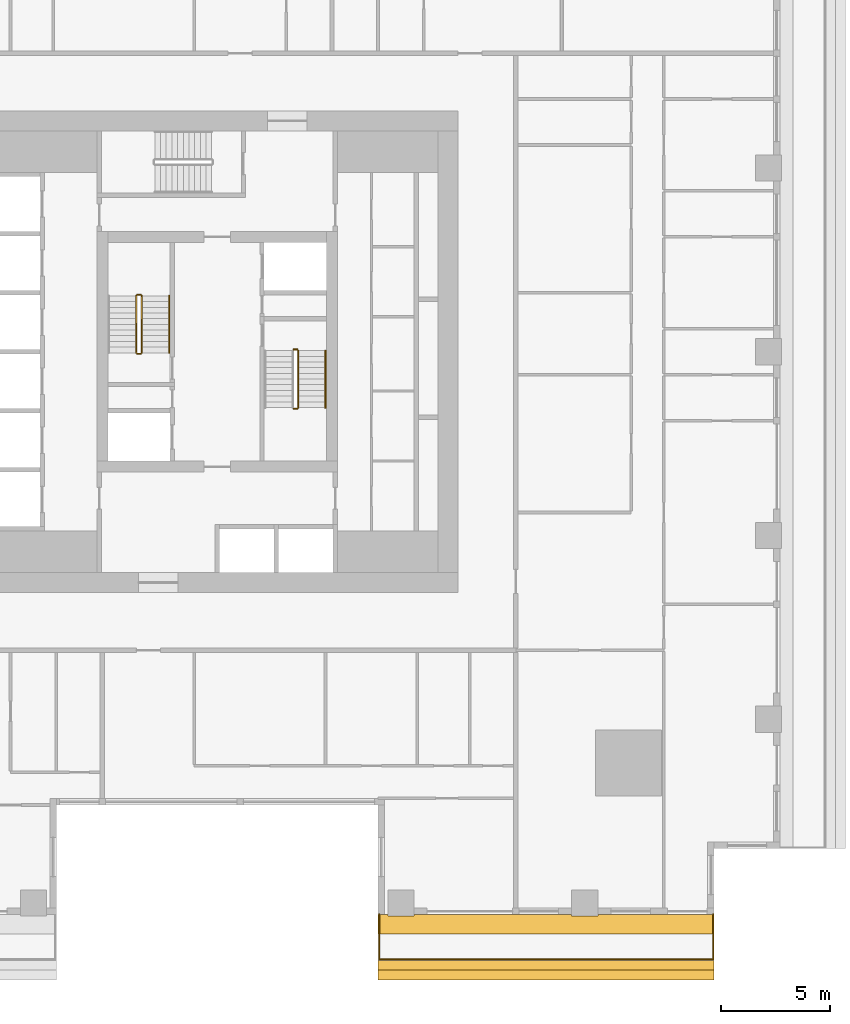
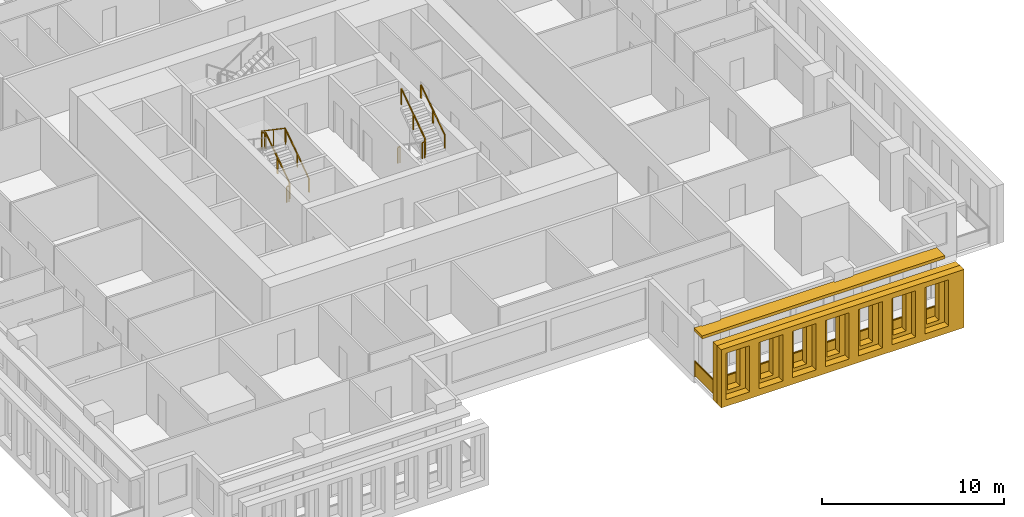
# One storey, part 12 of 15: 10 railings, 3 shading devices.
"""IFC4 building model written with IfcOpenShell, lengths in metres."""

from ifc_helpers import new_model, si_unit, direction, frame, origin, origin_2d, place, context, subcontext, project, spatial, polyline, rectangle, outline, extrude, material, layer, layer_set, type_object, element, save


model = new_model("IFC4")

# Units and contexts
model_context = context("Model", 3, precision=1e-05, world=origin(), true_north=direction((0.0, 1.0)))
body_context = subcontext(model_context, "Body", "Model", "MODEL_VIEW")
ifc_project = project(units=[si_unit("LENGTHUNIT", "METRE"), si_unit("AREAUNIT", "SQUARE_METRE"), si_unit("VOLUMEUNIT", "CUBIC_METRE"), si_unit("PLANEANGLEUNIT", "RADIAN"), si_unit("MASSUNIT", "GRAM", prefix="KILO")], contexts=[model_context])

# Site, building, storey
site_placement = place(None, origin())
site = spatial("IfcSite", under=ifc_project, at=site_placement, CompositionType="ELEMENT")
building_placement = place(site_placement, origin())
building = spatial("IfcBuilding", under=site, at=building_placement, Name="Khepri Terraces", CompositionType="ELEMENT")
storey_placement = place(building_placement, frame((0.0, 0.0, 46.5)))
storey = spatial("IfcBuildingStorey", under=building, at=storey_placement, Name="L10", CompositionType="ELEMENT", Elevation=46.5)

# Railings
ifc_material_1 = material(Name="Stainless steel grade 316", Category="steel")
railing_type_1 = type_object("IfcRailingType", Name="GRD-BAL-1100", PredefinedType="GUARDRAIL", material=ifc_material_1)
railing_1_placement = place(storey_placement, frame((7.39990234375, -25.719970703125, 0.0)))
element("IfcRailing", 1, at=railing_1_placement, inside=storey, type_object=railing_type_1, Name="Balcony guard L10 S", PredefinedType="GUARDRAIL", context=body_context, shape_type="SweptSolid", body=[
    extrude(rectangle(XDim=0.050048828125, YDim=0.06005859375, at=origin_2d()), frame((0.0, 0.0, 1.070068359375), z_axis=(0.0, -1.0, 0.0), x_axis=(1.0, 0.0, 0.0)), (0.0, 0.0, 1.0), 2.050048828125),
    extrude(rectangle(XDim=2.0, YDim=0.011962890625, at=origin_2d()), frame((0.0, -1.02490234375, 0.10009765625), z_axis=(0.0, 0.0, 1.0), x_axis=(0.0, -1.0, 0.0)), (0.0, 0.0, 1.0), 0.93994140625),
    extrude(rectangle(XDim=0.050048828125, YDim=0.06005859375, at=origin_2d()), frame((0.0, -2.050048828125, 1.070068359375), z_axis=(1.0, 0.0, 0.0), x_axis=(0.0, 1.0, 0.0)), (0.0, 0.0, 1.0), 15.27001953125),
    extrude(rectangle(XDim=2.13134765625, YDim=0.011962890625, at=origin_2d()), frame((1.0908203125, -2.050048828125, 0.10009765625), z_axis=(0.0, 0.0, 1.0), x_axis=(1.0, 0.0, 0.0)), (0.0, 0.0, 1.0), 0.93994140625),
    extrude(rectangle(XDim=2.13134765625, YDim=0.011962890625, at=origin_2d()), frame((3.272216796875, -2.050048828125, 0.10009765625), z_axis=(0.0, 0.0, 1.0), x_axis=(1.0, 0.0, 0.0)), (0.0, 0.0, 1.0), 0.93994140625),
    extrude(rectangle(XDim=2.13134765625, YDim=0.011962890625, at=origin_2d()), frame((5.45361328125, -2.050048828125, 0.10009765625), z_axis=(0.0, 0.0, 1.0), x_axis=(1.0, 0.0, 0.0)), (0.0, 0.0, 1.0), 0.93994140625),
    extrude(rectangle(XDim=2.13134765625, YDim=0.011962890625, at=origin_2d()), frame((7.635009765625, -2.050048828125, 0.10009765625), z_axis=(0.0, 0.0, 1.0), x_axis=(1.0, 0.0, 0.0)), (0.0, 0.0, 1.0), 0.93994140625),
    extrude(rectangle(XDim=2.13134765625, YDim=0.011962890625, at=origin_2d()), frame((9.81640625, -2.050048828125, 0.10009765625), z_axis=(0.0, 0.0, 1.0), x_axis=(1.0, 0.0, 0.0)), (0.0, 0.0, 1.0), 0.93994140625),
    extrude(rectangle(XDim=2.13134765625, YDim=0.011962890625, at=origin_2d()), frame((11.997802734375, -2.050048828125, 0.10009765625), z_axis=(0.0, 0.0, 1.0), x_axis=(1.0, 0.0, 0.0)), (0.0, 0.0, 1.0), 0.93994140625),
    extrude(rectangle(XDim=2.13134765625, YDim=0.011962890625, at=origin_2d()), frame((14.17919921875, -2.050048828125, 0.10009765625), z_axis=(0.0, 0.0, 1.0), x_axis=(1.0, 0.0, 0.0)), (0.0, 0.0, 1.0), 0.93994140625),
    extrude(rectangle(XDim=0.050048828125, YDim=0.06005859375, at=origin_2d()), frame((15.27001953125, -2.050048828125, 1.070068359375), z_axis=(0.0, 1.0, 0.0), x_axis=(-1.0, 0.0, 0.0)), (0.0, 0.0, 1.0), 2.050048828125),
    extrude(rectangle(XDim=2.0, YDim=0.011962890625, at=origin_2d()), frame((15.27001953125, -1.02490234375, 0.10009765625), z_axis=(0.0, 0.0, 1.0), x_axis=(0.0, 1.0, 0.0)), (0.0, 0.0, 1.0), 0.93994140625),
    extrude(rectangle(XDim=0.050048828125, YDim=0.050048828125, at=origin_2d()), origin(), (0.0, 0.0, 1.0), 1.0400390625),
    extrude(rectangle(XDim=0.050048828125, YDim=0.050048828125, at=origin_2d()), frame((0.0, -2.050048828125, 0.0)), (0.0, 0.0, 1.0), 1.0400390625),
    extrude(rectangle(XDim=0.050048828125, YDim=0.050048828125, at=origin_2d()), frame((2.181396484375, -2.050048828125, 0.0)), (0.0, 0.0, 1.0), 1.0400390625),
    extrude(rectangle(XDim=0.050048828125, YDim=0.050048828125, at=origin_2d()), frame((4.36279296875, -2.050048828125, 0.0)), (0.0, 0.0, 1.0), 1.0400390625),
    extrude(rectangle(XDim=0.050048828125, YDim=0.050048828125, at=origin_2d()), frame((6.544189453125, -2.050048828125, 0.0)), (0.0, 0.0, 1.0), 1.0400390625),
    extrude(rectangle(XDim=0.050048828125, YDim=0.050048828125, at=origin_2d()), frame((8.725830078125, -2.050048828125, 0.0)), (0.0, 0.0, 1.0), 1.0400390625),
    extrude(rectangle(XDim=0.050048828125, YDim=0.050048828125, at=origin_2d()), frame((10.9072265625, -2.050048828125, 0.0)), (0.0, 0.0, 1.0), 1.0400390625),
    extrude(rectangle(XDim=0.050048828125, YDim=0.050048828125, at=origin_2d()), frame((13.088623046875, -2.050048828125, 0.0)), (0.0, 0.0, 1.0), 1.0400390625),
    extrude(rectangle(XDim=0.050048828125, YDim=0.050048828125, at=origin_2d()), frame((15.27001953125, -2.050048828125, 0.0)), (0.0, 0.0, 1.0), 1.0400390625),
    extrude(rectangle(XDim=0.050048828125, YDim=0.050048828125, at=origin_2d()), frame((15.27001953125, 0.0, 0.0)), (0.0, 0.0, 1.0), 1.0400390625),
])
ifc_material_2 = material(Name="Stainless steel 316", Category="steel")
railing_type_2 = type_object("IfcRailingType", Name="RL-CORE-GUARD", PredefinedType="GUARDRAIL", material=ifc_material_2)
railing_2_placement = place(storey_placement, frame((-3.449951171875, -0.050048828125, 0.17724609375)))
element("IfcRailing", 2, at=railing_2_placement, inside=storey, type_object=railing_type_2, Name="L10 ST-1 stair guard 1", PredefinedType="GUARDRAIL", context=body_context, shape_type="SweptSolid", body=[
    extrude(rectangle(XDim=0.050048828125, YDim=0.06005859375, at=origin_2d()), frame((0.0, 0.0, 1.070068359375), z_axis=(0.0, 0.826240473404, 0.563317565952), x_axis=(-1.0, 0.0, 0.0)), (0.0, 0.0, 1.0), 3.14697265625),
    extrude(rectangle(XDim=0.050048828125, YDim=0.050048828125, at=origin_2d()), origin(), (0.0, 0.0, 1.0), 1.0400390625),
    extrude(rectangle(XDim=0.050048828125, YDim=0.050048828125, at=origin_2d()), frame((0.0, 1.300048828125, 0.88623046875)), (0.0, 0.0, 1.0), 1.0400390625),
    extrude(rectangle(XDim=0.050048828125, YDim=0.050048828125, at=origin_2d()), frame((0.0, 2.60009765625, 1.772705078125)), (0.0, 0.0, 1.0), 1.0400390625),
])
railing_3_placement = place(storey_placement, frame((-3.5, 2.60009765625, 1.949951171875)))
element("IfcRailing", 3, at=railing_3_placement, inside=storey, type_object=railing_type_2, Name="L10 ST-1 stair guard 2", PredefinedType="GUARDRAIL", context=body_context, shape_type="SweptSolid", body=[
    extrude(rectangle(XDim=0.050048828125, YDim=0.06005859375, at=origin_2d()), frame((0.0, 0.0, 1.070068359375), z_axis=(-1.0, 0.0, 0.0), x_axis=(0.0, -1.0, 0.0)), (0.0, 0.0, 1.0), 0.14990234375),
    extrude(rectangle(XDim=0.050048828125, YDim=0.050048828125, at=origin_2d()), origin(), (0.0, 0.0, 1.0), 1.0400390625),
    extrude(rectangle(XDim=0.050048828125, YDim=0.050048828125, at=origin_2d()), frame((-0.14990234375, 0.0, 0.0)), (0.0, 0.0, 1.0), 1.0400390625),
])
railing_4_placement = place(storey_placement, frame((-3.699951171875, 2.550048828125, 2.127197265625)))
element("IfcRailing", 4, at=railing_4_placement, inside=storey, type_object=railing_type_2, Name="L10 ST-1 stair guard 3", PredefinedType="GUARDRAIL", context=body_context, shape_type="SweptSolid", body=[
    extrude(rectangle(XDim=0.050048828125, YDim=0.06005859375, at=origin_2d()), frame((0.0, 0.0, 1.070068359375), z_axis=(0.0, -0.826240473404, 0.563317565952), x_axis=(1.0, 0.0, 0.0)), (0.0, 0.0, 1.0), 3.14697265625),
    extrude(rectangle(XDim=0.050048828125, YDim=0.050048828125, at=origin_2d()), origin(), (0.0, 0.0, 1.0), 1.0400390625),
    extrude(rectangle(XDim=0.050048828125, YDim=0.050048828125, at=origin_2d()), frame((0.0, -1.300048828125, 0.88623046875)), (0.0, 0.0, 1.0), 1.0400390625),
    extrude(rectangle(XDim=0.050048828125, YDim=0.050048828125, at=origin_2d()), frame((0.0, -2.60009765625, 1.772705078125)), (0.0, 0.0, 1.0), 1.0400390625),
])
railing_5_placement = place(storey_placement, frame((-3.5, -0.10009765625, 0.0)))
element("IfcRailing", 5, at=railing_5_placement, inside=storey, type_object=railing_type_2, Name="L10 ST-1 stair guard 4", PredefinedType="GUARDRAIL", context=body_context, shape_type="SweptSolid", body=[
    extrude(rectangle(XDim=0.050048828125, YDim=0.06005859375, at=origin_2d()), frame((0.0, 0.0, 1.070068359375), z_axis=(-1.0, 0.0, 0.0), x_axis=(0.0, -1.0, 0.0)), (0.0, 0.0, 1.0), 0.14990234375),
    extrude(rectangle(XDim=0.050048828125, YDim=0.050048828125, at=origin_2d()), origin(), (0.0, 0.0, 1.0), 1.0400390625),
    extrude(rectangle(XDim=0.050048828125, YDim=0.050048828125, at=origin_2d()), frame((-0.14990234375, 0.0, 0.0)), (0.0, 0.0, 1.0), 1.0400390625),
])
railing_6_placement = place(storey_placement, frame((3.5, -2.60009765625, 1.949951171875)))
element("IfcRailing", 6, at=railing_6_placement, inside=storey, type_object=railing_type_2, Name="L10 ST-2 stair guard 2", PredefinedType="GUARDRAIL", context=body_context, shape_type="SweptSolid", body=[
    extrude(rectangle(XDim=0.050048828125, YDim=0.06005859375, at=origin_2d()), frame((0.0, 0.0, 1.070068359375), z_axis=(1.0, 0.0, 0.0), x_axis=(0.0, 1.0, 0.0)), (0.0, 0.0, 1.0), 0.14990234375),
    extrude(rectangle(XDim=0.050048828125, YDim=0.050048828125, at=origin_2d()), origin(), (0.0, 0.0, 1.0), 1.0400390625),
    extrude(rectangle(XDim=0.050048828125, YDim=0.050048828125, at=origin_2d()), frame((0.14990234375, 0.0, 0.0)), (0.0, 0.0, 1.0), 1.0400390625),
])
railing_7_placement = place(storey_placement, frame((3.699951171875, -2.550048828125, 2.127197265625)))
element("IfcRailing", 7, at=railing_7_placement, inside=storey, type_object=railing_type_2, Name="L10 ST-2 stair guard 3", PredefinedType="GUARDRAIL", context=body_context, shape_type="SweptSolid", body=[
    extrude(rectangle(XDim=0.050048828125, YDim=0.06005859375, at=origin_2d()), frame((0.0, 0.0, 1.070068359375), z_axis=(0.0, 0.826240473404, 0.563317565952), x_axis=(-1.0, 0.0, 0.0)), (0.0, 0.0, 1.0), 3.14697265625),
    extrude(rectangle(XDim=0.050048828125, YDim=0.050048828125, at=origin_2d()), origin(), (0.0, 0.0, 1.0), 1.0400390625),
    extrude(rectangle(XDim=0.050048828125, YDim=0.050048828125, at=origin_2d()), frame((0.0, 1.300048828125, 0.88623046875)), (0.0, 0.0, 1.0), 1.0400390625),
    extrude(rectangle(XDim=0.050048828125, YDim=0.050048828125, at=origin_2d()), frame((0.0, 2.60009765625, 1.772705078125)), (0.0, 0.0, 1.0), 1.0400390625),
])
railing_8_placement = place(storey_placement, frame((3.5, 0.10009765625, 0.0)))
element("IfcRailing", 8, at=railing_8_placement, inside=storey, type_object=railing_type_2, Name="L10 ST-2 stair guard 4", PredefinedType="GUARDRAIL", context=body_context, shape_type="SweptSolid", body=[
    extrude(rectangle(XDim=0.050048828125, YDim=0.06005859375, at=origin_2d()), frame((0.0, 0.0, 1.070068359375), z_axis=(1.0, 0.0, 0.0), x_axis=(0.0, 1.0, 0.0)), (0.0, 0.0, 1.0), 0.14990234375),
    extrude(rectangle(XDim=0.050048828125, YDim=0.050048828125, at=origin_2d()), origin(), (0.0, 0.0, 1.0), 1.0400390625),
    extrude(rectangle(XDim=0.050048828125, YDim=0.050048828125, at=origin_2d()), frame((0.14990234375, 0.0, 0.0)), (0.0, 0.0, 1.0), 1.0400390625),
])
railing_type_3 = type_object("IfcRailingType", Name="RL-CORE-HANDRAIL", PredefinedType="HANDRAIL", material=ifc_material_2)
for number, where, name in (
    (9, (-2.199951171875, -0.050048828125, 0.17724609375), "L10 ST-1 stair handrail 1"),
    (10, (4.949951171875, -2.550048828125, 2.127197265625), "L10 ST-2 stair handrail 2"),
):
    element("IfcRailing", number, at=place(storey_placement, frame(where)), inside=storey, type_object=railing_type_3, Name=name, PredefinedType="HANDRAIL", context=body_context, shape_type="SweptSolid", body=[
        extrude(rectangle(XDim=0.050048828125, YDim=0.050048828125, at=origin_2d()), frame((0.0, 0.0, 0.875), z_axis=(0.0, 0.826240473404, 0.563317565952), x_axis=(-1.0, 0.0, 0.0)), (0.0, 0.0, 1.0), 3.14697265625),
        extrude(rectangle(XDim=0.050048828125, YDim=0.050048828125, at=origin_2d()), origin(), (0.0, 0.0, 1.0), 0.849853515625),
        extrude(rectangle(XDim=0.050048828125, YDim=0.050048828125, at=origin_2d()), frame((0.0, 1.300048828125, 0.88623046875)), (0.0, 0.0, 1.0), 0.849853515625),
        extrude(rectangle(XDim=0.050048828125, YDim=0.050048828125, at=origin_2d()), frame((0.0, 2.60009765625, 1.772705078125)), (0.0, 0.0, 1.0), 0.849853515625),
    ])

# Shading devices
ifc_material_3 = material(Name="Precast concrete C50/60 warm stone", Category="masonry")
shading_device_type_1 = type_object("IfcShadingDeviceType", Name="SCR-CELL-INNER-450", PredefinedType="USERDEFINED", material=ifc_material_3)
shading_device_1_placement = place(storey_placement, frame((7.35009765625, -27.820068359375, -0.25), z_axis=(0.0, -1.0, 0.0), x_axis=(1.0, 0.0, 0.0)))
element("IfcShadingDevice", 11, at=shading_device_1_placement, inside=storey, type_object=shading_device_type_1, Name="Cell screen L10 S in", ObjectType="SCREEN", PredefinedType="USERDEFINED", context=body_context, shape_type="SweptSolid", body=[
    extrude(outline(polyline([(0.0, 0.0), (15.3701171875, 0.0), (15.3701171875, 3.89990234375), (0.0, 3.89990234375), (0.0, 0.0)]), holes=[polyline([(0.6484375, 0.699951171875), (1.45166015625, 0.699951171875), (1.45166015625, 3.300048828125), (0.6484375, 3.300048828125), (0.6484375, 0.699951171875)]), polyline([(2.748291015625, 0.699951171875), (3.551513671875, 0.699951171875), (3.551513671875, 3.300048828125), (2.748291015625, 3.300048828125), (2.748291015625, 0.699951171875)]), polyline([(4.848388671875, 0.699951171875), (5.651611328125, 0.699951171875), (5.651611328125, 3.300048828125), (4.848388671875, 3.300048828125), (4.848388671875, 0.699951171875)]), polyline([(6.948486328125, 0.699951171875), (7.751708984375, 0.699951171875), (7.751708984375, 3.300048828125), (6.948486328125, 3.300048828125), (6.948486328125, 0.699951171875)]), polyline([(9.04833984375, 0.699951171875), (9.8515625, 0.699951171875), (9.8515625, 3.300048828125), (9.04833984375, 3.300048828125), (9.04833984375, 0.699951171875)]), polyline([(11.1484375, 0.699951171875), (11.95166015625, 0.699951171875), (11.95166015625, 3.300048828125), (11.1484375, 3.300048828125), (11.1484375, 0.699951171875)]), polyline([(13.248291015625, 0.699951171875), (14.051513671875, 0.699951171875), (14.051513671875, 3.300048828125), (13.248291015625, 3.300048828125), (13.248291015625, 0.699951171875)])]), origin(), (0.0, 0.0, 1.0), 0.449951171875),
])
shading_device_type_2 = type_object("IfcShadingDeviceType", Name="SCR-CELL-OUTER-450", PredefinedType="USERDEFINED", material=ifc_material_3)
shading_device_2_placement = place(storey_placement, frame((7.35009765625, -28.27001953125, -0.25), z_axis=(0.0, -1.0, 0.0), x_axis=(1.0, 0.0, 0.0)))
element("IfcShadingDevice", 12, at=shading_device_2_placement, inside=storey, type_object=shading_device_type_2, Name="Cell screen L10 S out", ObjectType="SCREEN", PredefinedType="USERDEFINED", context=body_context, shape_type="SweptSolid", body=[
    extrude(outline(polyline([(0.0, 0.0), (15.3701171875, 0.0), (15.3701171875, 3.89990234375), (0.0, 3.89990234375), (0.0, 0.0)]), holes=[polyline([(0.29833984375, 0.449951171875), (1.801513671875, 0.449951171875), (1.801513671875, 3.550048828125), (0.29833984375, 3.550048828125), (0.29833984375, 0.449951171875)]), polyline([(2.3984375, 0.449951171875), (3.901611328125, 0.449951171875), (3.901611328125, 3.550048828125), (2.3984375, 3.550048828125), (2.3984375, 0.449951171875)]), polyline([(4.498291015625, 0.449951171875), (6.001708984375, 0.449951171875), (6.001708984375, 3.550048828125), (4.498291015625, 3.550048828125), (4.498291015625, 0.449951171875)]), polyline([(6.598388671875, 0.449951171875), (8.1015625, 0.449951171875), (8.1015625, 3.550048828125), (6.598388671875, 3.550048828125), (6.598388671875, 0.449951171875)]), polyline([(8.698486328125, 0.449951171875), (10.20166015625, 0.449951171875), (10.20166015625, 3.550048828125), (8.698486328125, 3.550048828125), (8.698486328125, 0.449951171875)]), polyline([(10.79833984375, 0.449951171875), (12.301513671875, 0.449951171875), (12.301513671875, 3.550048828125), (10.79833984375, 3.550048828125), (10.79833984375, 0.449951171875)]), polyline([(12.8984375, 0.449951171875), (14.401611328125, 0.449951171875), (14.401611328125, 3.550048828125), (12.8984375, 3.550048828125), (12.8984375, 0.449951171875)])]), origin(), (0.0, 0.0, 1.0), 0.449951171875),
])
ifc_layer = layer(ifc_material_3, 0.199951171875, Name="Precast concrete C50/60 warm stone", Category="masonry")
ifc_layer_set = layer_set([ifc_layer], Name="Precast concrete C50/60 warm stone")
shading_device_type_3 = type_object("IfcShadingDeviceType", Name="SSH-BAND-STONE-200", PredefinedType="USERDEFINED", material=ifc_layer_set)
shading_device_3_placement = place(storey_placement, frame((0.0, 0.0, 3.10009765625)))
element("IfcShadingDevice", 13, at=shading_device_3_placement, inside=storey, type_object=shading_device_type_3, Name="Sunshade band L10 S", ObjectType="SUNSHADE", PredefinedType="USERDEFINED", context=body_context, shape_type="SweptSolid", body=[
    extrude(outline(polyline([(7.800048828125, -25.719970703125), (7.35009765625, -25.719970703125), (7.35009765625, -26.6201171875), (22.719970703125, -26.6201171875), (22.719970703125, -25.719970703125), (17.39990234375, -25.719970703125), (17.39990234375, -25.800048828125), (16.199951171875, -25.800048828125), (16.199951171875, -25.719970703125), (9.0, -25.719970703125), (9.0, -25.800048828125), (7.800048828125, -25.800048828125), (7.800048828125, -25.719970703125)])), origin(), (0.0, 0.0, 1.0), 0.199951171875),
])

save(model, "model.ifc")
